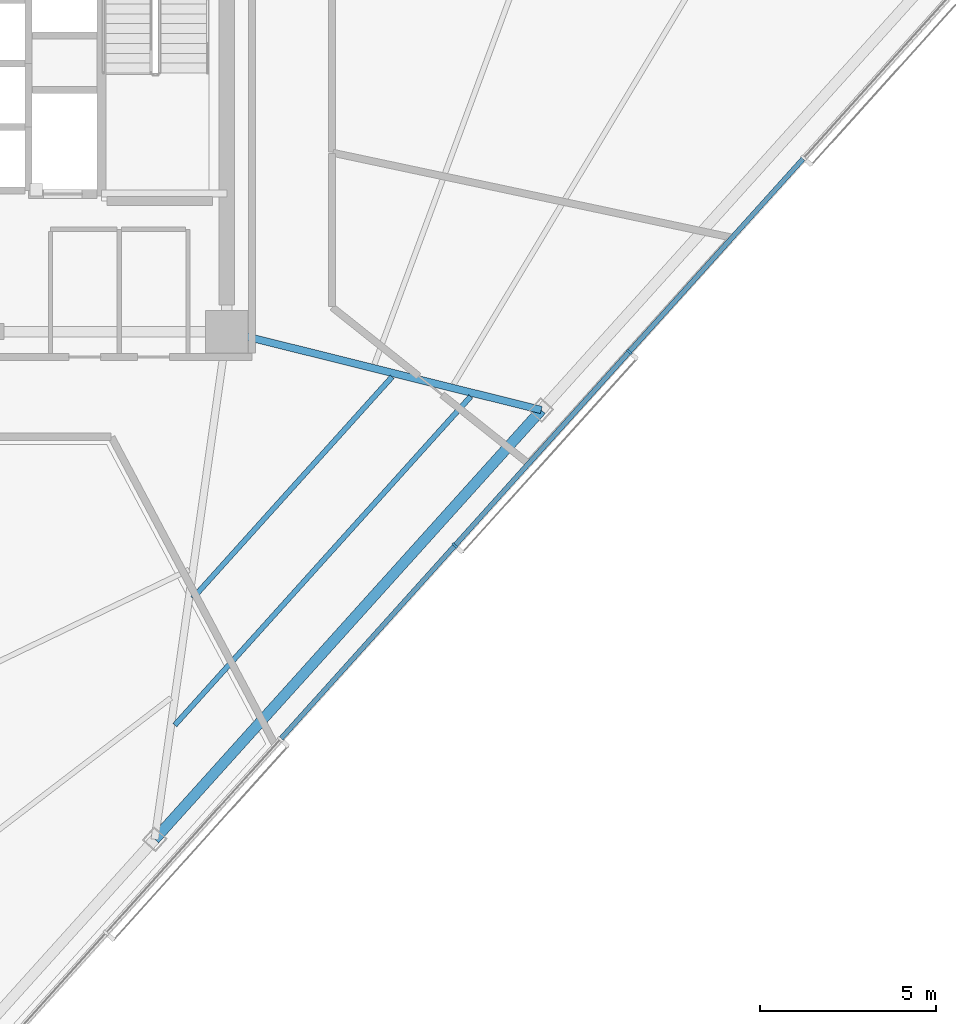
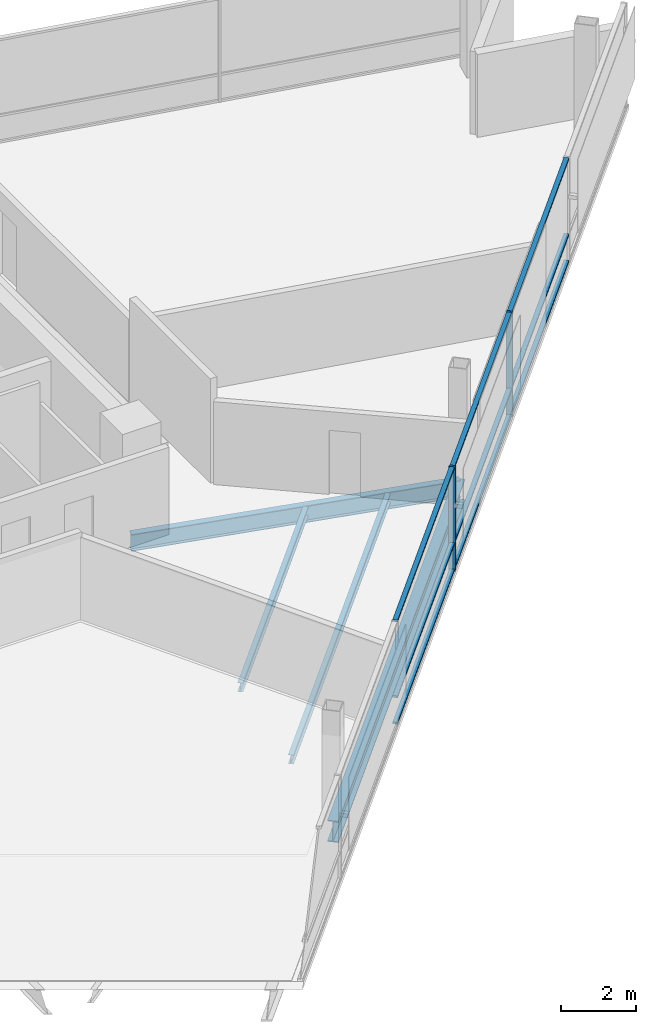
# One storey, part 4 of 17: 11 members, 4 beams, 1 element without a shape of its own.
"""IFC4 building model written with IfcOpenShell, lengths in metres."""

from ifc_helpers import new_model, si_unit, direction, frame, origin, origin_2d, place, context, subcontext, project, spatial, rectangle, i_section, extrude, material, layer, layer_set, material_profile, profile_set, type_object, element, aggregate, save


model = new_model("IFC4")

# Units and contexts
model_context = context("Model", 3, precision=1e-05, world=origin(), true_north=direction((0.0, 1.0)))
body_context = subcontext(model_context, "Body", "Model", "MODEL_VIEW")
ifc_project = project(units=[si_unit("LENGTHUNIT", "METRE"), si_unit("AREAUNIT", "SQUARE_METRE"), si_unit("VOLUMEUNIT", "CUBIC_METRE"), si_unit("PLANEANGLEUNIT", "RADIAN"), si_unit("MASSUNIT", "GRAM", prefix="KILO")], contexts=[model_context])

# Site, building, storey
site_placement = place(None, origin())
site = spatial("IfcSite", under=ifc_project, at=site_placement, CompositionType="ELEMENT")
building_placement = place(site_placement, origin())
building = spatial("IfcBuilding", under=site, at=building_placement, Name="Tharavind Bronze Gate", CompositionType="ELEMENT")
storey_placement = place(building_placement, frame((0.0, 0.0, 207.64990234375)))
storey = spatial("IfcBuildingStorey", under=building, at=storey_placement, Name="L53", CompositionType="ELEMENT", Elevation=207.64990234375)

# Curtain wall, members
ifc_material_1 = material(Name="Anodised Bronze Aluminium", Category="aluminium")
ifc_layer = layer(ifc_material_1, 0.219970703125)
ifc_layer_set = layer_set([ifc_layer], Name="Anodised Bronze Aluminium")
curtain_wall_type = type_object("IfcCurtainWallType", Name="UNITISED CURTAIN WALL MID OFFICE", PredefinedType="USERDEFINED", material=ifc_layer_set)
curtain_wall_placement = place(storey_placement, origin())
curtain_wall = element("IfcCurtainWall", 1, at=curtain_wall_placement, inside=storey, type_object=curtain_wall_type, Name="L53 unitised curtain wall mid office CW-L53-S2", ObjectType="UNITISED CURTAIN WALL", PredefinedType="USERDEFINED")
member_type_1 = type_object("IfcMemberType", Name="CURTAIN WALL BRONZE MULLION 65X180", PredefinedType="MULLION", material=ifc_material_1)
member_1_placement = place(storey_placement, frame((15.365966796875, -13.663818359375, 0.000244140625), z_axis=(0.0, 0.0, 1.0), x_axis=(0.669130606359, 0.743144825477, 0.0)))
member_1 = element("IfcMember", 2, at=member_1_placement, type_object=member_type_1, Name="CW-L53-S2 mullion 5", PredefinedType="MULLION", context=body_context, shape_type="SweptSolid", body=[
    extrude(rectangle(XDim=0.06494140625, YDim=0.179931640625, at=origin_2d()), origin(), (0.0, 0.0, 1.0), 3.419921875),
])
member_2_placement = place(storey_placement, frame((20.310302734375, -8.17236328125, 0.000244140625), z_axis=(0.0, 0.0, 1.0), x_axis=(0.669130606359, 0.743144825477, 0.0)))
member_2 = element("IfcMember", 3, at=member_2_placement, type_object=member_type_1, Name="CW-L53-S2 mullion 6", PredefinedType="MULLION", context=body_context, shape_type="SweptSolid", body=[
    extrude(rectangle(XDim=0.06494140625, YDim=0.179931640625, at=origin_2d()), origin(), (0.0, 0.0, 1.0), 3.419921875),
])
member_type_2 = type_object("IfcMemberType", Name="CURTAIN WALL BRONZE TRANSOM 65X140", PredefinedType="USERDEFINED", material=ifc_material_1)
member_3_placement = place(storey_placement, frame((12.8935546875, -16.409423828125, 0.000244140625), z_axis=(0.0, 0.0, 1.0), x_axis=(0.669130606359, 0.743144825477, 0.0)))
member_3 = element("IfcMember", 4, at=member_3_placement, type_object=member_type_2, Name="CW-L53-S2 transom TB4", ObjectType="TRANSOM", PredefinedType="USERDEFINED", context=body_context, shape_type="SweptSolid", body=[
    extrude(rectangle(XDim=7.33642578125, YDim=0.139892578125, at=origin_2d()), origin(), (0.0, 0.0, 1.0), 0.06494140625),
])
member_4_placement = place(storey_placement, frame((12.8935546875, -16.409423828125, 0.86767578125), z_axis=(0.0, 0.0, 1.0), x_axis=(0.669130606359, 0.743144825477, 0.0)))
member_4 = element("IfcMember", 5, at=member_4_placement, type_object=member_type_2, Name="CW-L53-S2 transom TS4", ObjectType="TRANSOM", PredefinedType="USERDEFINED", context=body_context, shape_type="SweptSolid", body=[
    extrude(rectangle(XDim=7.33642578125, YDim=0.139892578125, at=origin_2d()), origin(), (0.0, 0.0, 1.0), 0.06494140625),
])
member_5_placement = place(storey_placement, frame((12.8935546875, -16.409423828125, 3.355224609375), z_axis=(0.0, 0.0, 1.0), x_axis=(0.669130606359, 0.743144825477, 0.0)))
member_5 = element("IfcMember", 6, at=member_5_placement, type_object=member_type_2, Name="CW-L53-S2 transom TT4", ObjectType="TRANSOM", PredefinedType="USERDEFINED", context=body_context, shape_type="SweptSolid", body=[
    extrude(rectangle(XDim=7.33642578125, YDim=0.139892578125, at=origin_2d()), origin(), (0.0, 0.0, 1.0), 0.06494140625),
])
member_6_placement = place(storey_placement, frame((17.838134765625, -10.91796875, 0.000244140625), z_axis=(0.0, 0.0, 1.0), x_axis=(0.669130606359, 0.743144825477, 0.0)))
member_6 = element("IfcMember", 7, at=member_6_placement, type_object=member_type_2, Name="CW-L53-S2 transom TB5", ObjectType="TRANSOM", PredefinedType="USERDEFINED", context=body_context, shape_type="SweptSolid", body=[
    extrude(rectangle(XDim=7.33642578125, YDim=0.139892578125, at=origin_2d()), origin(), (0.0, 0.0, 1.0), 0.06494140625),
])
member_7_placement = place(storey_placement, frame((17.838134765625, -10.91796875, 0.86767578125), z_axis=(0.0, 0.0, 1.0), x_axis=(0.669130606359, 0.743144825477, 0.0)))
member_7 = element("IfcMember", 8, at=member_7_placement, type_object=member_type_2, Name="CW-L53-S2 transom TS5", ObjectType="TRANSOM", PredefinedType="USERDEFINED", context=body_context, shape_type="SweptSolid", body=[
    extrude(rectangle(XDim=7.33642578125, YDim=0.139892578125, at=origin_2d()), origin(), (0.0, 0.0, 1.0), 0.06494140625),
])
member_8_placement = place(storey_placement, frame((17.838134765625, -10.91796875, 3.355224609375), z_axis=(0.0, 0.0, 1.0), x_axis=(0.669130606359, 0.743144825477, 0.0)))
member_8 = element("IfcMember", 9, at=member_8_placement, type_object=member_type_2, Name="CW-L53-S2 transom TT5", ObjectType="TRANSOM", PredefinedType="USERDEFINED", context=body_context, shape_type="SweptSolid", body=[
    extrude(rectangle(XDim=7.33642578125, YDim=0.139892578125, at=origin_2d()), origin(), (0.0, 0.0, 1.0), 0.06494140625),
])
member_9_placement = place(storey_placement, frame((22.78271484375, -5.426513671875, 0.000244140625), z_axis=(0.0, 0.0, 1.0), x_axis=(0.669130606359, 0.743144825477, 0.0)))
member_9 = element("IfcMember", 10, at=member_9_placement, type_object=member_type_2, Name="CW-L53-S2 transom TB6", ObjectType="TRANSOM", PredefinedType="USERDEFINED", context=body_context, shape_type="SweptSolid", body=[
    extrude(rectangle(XDim=7.33642578125, YDim=0.139892578125, at=origin_2d()), origin(), (0.0, 0.0, 1.0), 0.06494140625),
])
member_10_placement = place(storey_placement, frame((22.78271484375, -5.426513671875, 0.86767578125), z_axis=(0.0, 0.0, 1.0), x_axis=(0.669130606359, 0.743144825477, 0.0)))
member_10 = element("IfcMember", 11, at=member_10_placement, type_object=member_type_2, Name="CW-L53-S2 transom TS6", ObjectType="TRANSOM", PredefinedType="USERDEFINED", context=body_context, shape_type="SweptSolid", body=[
    extrude(rectangle(XDim=7.33642578125, YDim=0.139892578125, at=origin_2d()), origin(), (0.0, 0.0, 1.0), 0.06494140625),
])
member_11_placement = place(storey_placement, frame((22.78271484375, -5.426513671875, 3.355224609375), z_axis=(0.0, 0.0, 1.0), x_axis=(0.669130606359, 0.743144825477, 0.0)))
member_11 = element("IfcMember", 12, at=member_11_placement, type_object=member_type_2, Name="CW-L53-S2 transom TT6", ObjectType="TRANSOM", PredefinedType="USERDEFINED", context=body_context, shape_type="SweptSolid", body=[
    extrude(rectangle(XDim=7.33642578125, YDim=0.139892578125, at=origin_2d()), origin(), (0.0, 0.0, 1.0), 0.06494140625),
])
aggregate(curtain_wall, [member_1, member_2, member_3, member_4, member_5, member_6, member_7, member_8, member_9, member_10, member_11])

# Beams
ifc_material_2 = material(Name="Steel S355", Category="steel")
ifc_material_profile_1 = material_profile(ifc_material_2, i_section(OverallWidth=0.2099609375, OverallDepth=0.550048828125, WebThickness=0.010986328125, FlangeThickness=0.01708984375, at=origin_2d()), Name="IPE550")
ifc_profile_set_1 = profile_set([ifc_material_profile_1], Name="Steel S355")
beam_type_1 = type_object("IfcBeamType", Name="PRIMARY GIRDER IPE550", PredefinedType="USERDEFINED", material=ifc_profile_set_1)
beam_1_placement = place(storey_placement, frame((17.815185546875, -9.82275390625, -0.454833984375), z_axis=(-0.970300158772, 0.241904117136, 0.0), x_axis=(-0.241904117136, -0.970300158772, 0.0)))
element("IfcBeam", 13, at=beam_1_placement, inside=storey, type_object=beam_type_1, Name="L53 primary girder ipe550 BM-L53-RAD07", ObjectType="GIRDER", PredefinedType="USERDEFINED", context=body_context, shape_type="SweptSolid", body=[
    extrude(i_section(OverallWidth=0.2099609375, OverallDepth=0.550048828125, WebThickness=0.010986328125, FlangeThickness=0.01708984375, at=origin_2d()), origin(), (0.0, 0.0, 1.0), 9.188232421875),
])
ifc_material_profile_2 = material_profile(ifc_material_2, i_section(OverallWidth=0.300048828125, OverallDepth=0.699951171875, WebThickness=0.01708984375, FlangeThickness=0.031982421875, at=origin_2d()), Name="HE700B")
ifc_profile_set_2 = profile_set([ifc_material_profile_2], Name="Steel S355")
beam_type_2 = type_object("IfcBeamType", Name="RING GIRDER HE700B", PredefinedType="USERDEFINED", material=ifc_profile_set_2)
beam_2_placement = place(storey_placement, frame((6.857421875, -21.992431640625, -0.52978515625), z_axis=(0.669135213786, 0.743140676906, 0.0), x_axis=(-0.743140676906, 0.669135213786, 0.0)))
element("IfcBeam", 14, at=beam_2_placement, inside=storey, type_object=beam_type_2, Name="L53 ring girder he700b BM-L53-PRG06", ObjectType="GIRDER", PredefinedType="USERDEFINED", context=body_context, shape_type="SweptSolid", body=[
    extrude(i_section(OverallWidth=0.300048828125, OverallDepth=0.699951171875, WebThickness=0.01708984375, FlangeThickness=0.031982421875, at=origin_2d()), origin(), (0.0, 0.0, 1.0), 16.3759765625),
])
ifc_material_profile_3 = material_profile(ifc_material_2, i_section(OverallWidth=0.14990234375, OverallDepth=0.300048828125, WebThickness=0.007080078125, FlangeThickness=0.0107421875, at=origin_2d()), Name="IPE300")
ifc_profile_set_3 = profile_set([ifc_material_profile_3], Name="Steel S355")
beam_type_3 = type_object("IfcBeamType", Name="SECONDARY FLOOR JOIST IPE300", PredefinedType="JOIST", material=ifc_profile_set_3)
beam_3_placement = place(storey_placement, frame((7.935791015625, -15.1572265625, -0.329833984375), z_axis=(0.669138786469, 0.743137459991, 0.0), x_axis=(-0.743137459991, 0.669138786469, 0.0)))
element("IfcBeam", 15, at=beam_3_placement, inside=storey, type_object=beam_type_3, Name="L53 secondary floor joist ipe300 BM-L53-JSTA06", PredefinedType="JOIST", context=body_context, shape_type="SweptSolid", body=[
    extrude(i_section(OverallWidth=0.14990234375, OverallDepth=0.300048828125, WebThickness=0.007080078125, FlangeThickness=0.0107421875, at=origin_2d()), origin(), (0.0, 0.0, 1.0), 8.446044921875),
])
beam_4_placement = place(storey_placement, frame((7.425048828125, -18.75537109375, -0.329833984375), z_axis=(0.669137887746, 0.743138269222, 0.0), x_axis=(-0.743138269222, 0.669137887746, 0.0)))
element("IfcBeam", 16, at=beam_4_placement, inside=storey, type_object=beam_type_3, Name="L53 secondary floor joist ipe300 BM-L53-JSTB06", PredefinedType="JOIST", context=body_context, shape_type="SweptSolid", body=[
    extrude(i_section(OverallWidth=0.14990234375, OverallDepth=0.300048828125, WebThickness=0.007080078125, FlangeThickness=0.0107421875, at=origin_2d()), origin(), (0.0, 0.0, 1.0), 12.540283203125),
])

save(model, "model.ifc")
